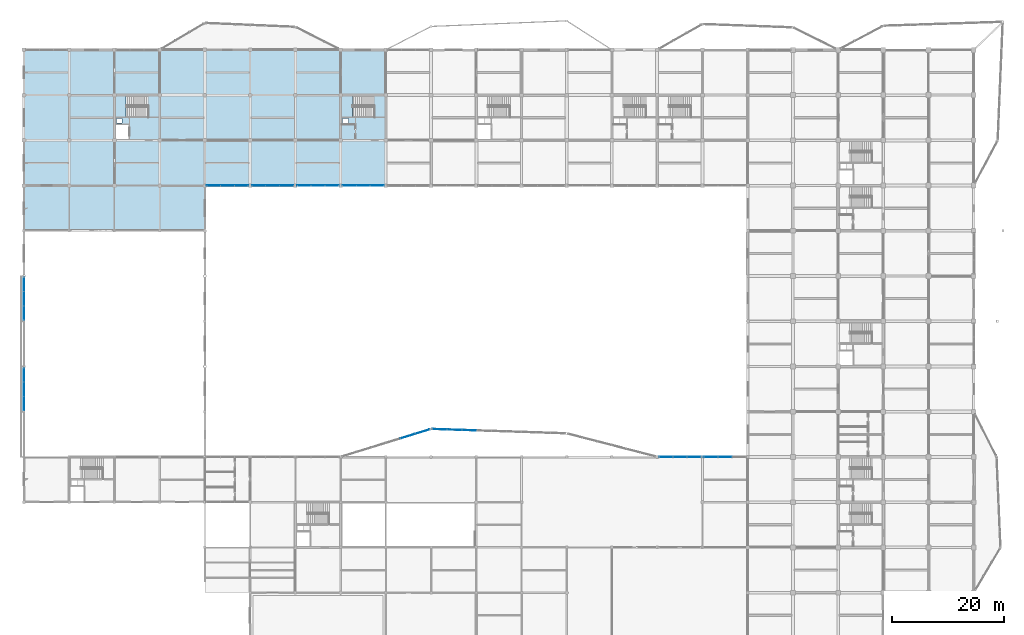
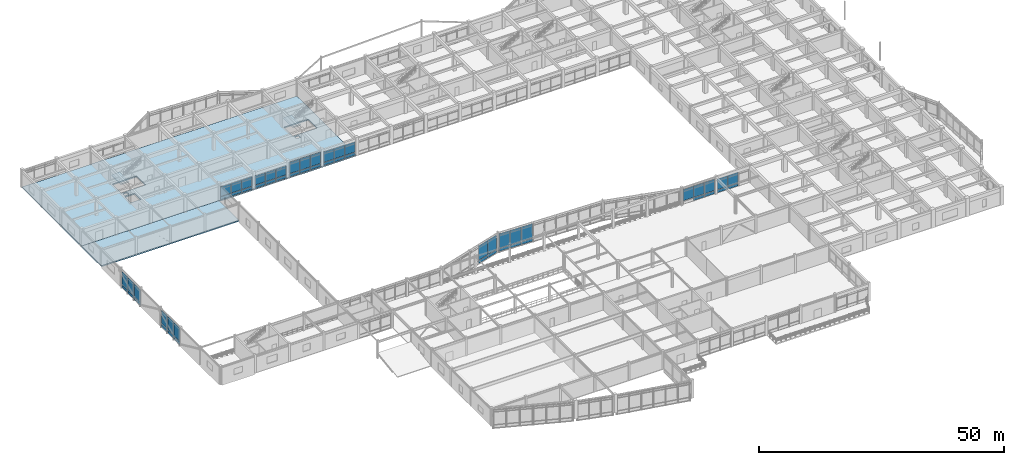
# One storey, part 52 of 93: 55 plates, 4 slabs, 12 elements without a shape of their own.
"""IFC4 building model written with IfcOpenShell, lengths in metres."""

import ifcopenshell
import ifcopenshell.guid

model = None  # the IFC model being written
_history = None  # IfcOwnerHistory: only IFC2X3 demands one
_inside = {}  # id of a spatial element -> (the spatial element, [elements in it])
_under = {}  # id of a project, library or spatial element -> (it, [spatial elements below it])
_declared = {}  # id of a project -> (the project, [libraries it declares])
_typed = {}  # id of a type object -> (the type object, [elements of that type])
_made_of = {}  # id of a material, layer set ... -> (it, [elements and type objects made of it])


def new_model(schema):
    """Start an empty IFC model of exactly this schema.

    Asked for "IFC4X3", IfcOpenShell would pick the latest addendum, in which some entities
    have other attributes; the version numbers below select the first issue.
    IFC2X3 requires an IfcOwnerHistory on every rooted entity: one is made here for all.
    """
    global model, _history
    if schema == "IFC4X3":
        model = ifcopenshell.file(schema_version=(4, 3, 0, 0))
    else:
        model = ifcopenshell.file(schema=schema)
    _inside.clear()
    _under.clear()
    _declared.clear()
    _typed.clear()
    _made_of.clear()
    _history = None
    if model.schema == "IFC2X3":
        org = make("IfcOrganization", Name="unknown")
        user = make(
            "IfcPersonAndOrganization",
            ThePerson=make("IfcPerson", FamilyName="unknown"),
            TheOrganization=org,
        )
        app = make(
            "IfcApplication",
            ApplicationDeveloper=org,
            Version="unknown",
            ApplicationFullName="unknown",
            ApplicationIdentifier="unknown",
        )
        _history = make(
            "IfcOwnerHistory",
            OwningUser=user,
            OwningApplication=app,
            ChangeAction="ADDED",
            CreationDate=0,
        )
    return model


def make(cls, **values):
    """One entity of the class cls with the attributes given. An attribute that is None is left unset."""
    return model.create_entity(
        cls, **{name: value for name, value in values.items() if value is not None}
    )


def rooted(cls, **values):
    """An entity with a GlobalId (a new one), such as an element, a storey or a relation."""
    return make(cls, GlobalId=ifcopenshell.guid.new(), OwnerHistory=_history, **values)


def si_unit(unit_type, name, prefix=None):
    """IfcSIUnit, for example si_unit("LENGTHUNIT", "METRE", prefix="MILLI")."""
    return make("IfcSIUnit", UnitType=unit_type, Prefix=prefix, Name=name)


def assignment(units):
    """IfcUnitAssignment: the units of a project."""
    return None if units is None else make("IfcUnitAssignment", Units=units)


def point(xyz):
    """IfcCartesianPoint."""
    return None if xyz is None else make("IfcCartesianPoint", Coordinates=xyz)


def direction(xyz):
    """IfcDirection."""
    return None if xyz is None else make("IfcDirection", DirectionRatios=xyz)


def frame(location, z_axis=None, x_axis=None):
    """IfcAxis2Placement3D, a coordinate frame: its origin and axes. An axis left out is left unset."""
    return make(
        "IfcAxis2Placement3D",
        Location=point(location),
        Axis=direction(z_axis),
        RefDirection=direction(x_axis),
    )


def frame_2d(location, x_axis=None):
    """IfcAxis2Placement2D, a coordinate frame in the plane: its origin and x axis."""
    return make(
        "IfcAxis2Placement2D", Location=point(location), RefDirection=direction(x_axis)
    )


def origin():
    """The frame at (0, 0, 0) with its axes left unset."""
    return frame((0.0, 0.0, 0.0))


def origin_2d():
    """The frame at (0, 0) in the plane with its x axis left unset."""
    return frame_2d((0.0, 0.0))


def place(relative_to, where):
    """IfcLocalPlacement: puts the frame where relative to a parent placement (None: the world)."""
    return make(
        "IfcLocalPlacement", PlacementRelTo=relative_to, RelativePlacement=where
    )


def context(
    kind, dimensions, precision=None, world=None, true_north=None, identifier=None
):
    """IfcGeometricRepresentationContext, for example the 3D "Model" context."""
    return make(
        "IfcGeometricRepresentationContext",
        ContextIdentifier=identifier,
        ContextType=kind,
        CoordinateSpaceDimension=dimensions,
        Precision=precision,
        WorldCoordinateSystem=world,
        TrueNorth=true_north,
    )


def subcontext(parent, identifier, kind, view, scale=None):
    """IfcGeometricRepresentationSubContext, for example "Body" below "Model"."""
    return make(
        "IfcGeometricRepresentationSubContext",
        ContextIdentifier=identifier,
        ContextType=kind,
        ParentContext=parent,
        TargetScale=scale,
        TargetView=view,
    )


def project(units=None, contexts=None):
    """IfcProject with its units and contexts."""
    return rooted(
        "IfcProject",
        Name="project",
        RepresentationContexts=contexts,
        UnitsInContext=assignment(units),
    )


def spatial(cls, under=None, at=None, **own):
    """A site, building, storey or space (cls), placed at a placement, below another one or the project."""
    s = rooted(cls, ObjectPlacement=at, **own)
    if under is not None:
        _under.setdefault(under.id(), (under, []))[1].append(s)
    return s


def polyline(points):
    """IfcPolyline through the points."""
    return make("IfcPolyline", Points=[point(p) for p in points])


def profile(cls, at=None, kind="AREA", **sizes):
    """A parametric profile (cls). Its sizes go by their IFC names, for example OverallWidth=200.0."""
    return make(cls, ProfileType=kind, Position=at, **sizes)


def rectangle(**sizes):
    """IfcRectangleProfileDef."""
    return profile("IfcRectangleProfileDef", **sizes)


def outline(outer, holes=None, kind="AREA"):
    """IfcArbitraryClosedProfileDef: a profile drawn as a closed curve; with holes, ...WithVoids."""
    if holes is None:
        return make("IfcArbitraryClosedProfileDef", ProfileType=kind, OuterCurve=outer)
    return make(
        "IfcArbitraryProfileDefWithVoids",
        ProfileType=kind,
        OuterCurve=outer,
        InnerCurves=holes,
    )


def extrude(swept, where, along, depth):
    """IfcExtrudedAreaSolid: the profile swept, set in the frame where, extruded along a direction by depth."""
    return make(
        "IfcExtrudedAreaSolid",
        SweptArea=swept,
        Position=where,
        ExtrudedDirection=direction(along),
        Depth=depth,
    )


def shape(context_of_items, identifier, shape_type, items):
    """IfcShapeRepresentation: the items that make up one representation, for example the "Body"."""
    return make(
        "IfcShapeRepresentation",
        ContextOfItems=context_of_items,
        RepresentationIdentifier=identifier,
        RepresentationType=shape_type,
        Items=items,
    )


def material(Name=None, Category=None):
    """IfcMaterial."""
    return make("IfcMaterial", Name=Name, Category=Category)


def layer(
    of_material, thickness, ventilated=None, Name=None, Category=None, Priority=None
):
    """IfcMaterialLayer: one layer of a wall or slab, of a material (None: an air gap)."""
    return make(
        "IfcMaterialLayer",
        Material=of_material,
        LayerThickness=thickness,
        IsVentilated=ventilated,
        Name=Name,
        Category=Category,
        Priority=Priority,
    )


def layer_set(layers, Name=None):
    """IfcMaterialLayerSet."""
    return make("IfcMaterialLayerSet", MaterialLayers=layers, LayerSetName=Name)


def made_of(thing, what):
    """Note that an element or type object is made of a material, layer set ...; save() writes the relation."""
    if what is not None:
        _made_of.setdefault(what.id(), (what, []))[1].append(thing)
    return thing


def type_object(cls, material=None, **own):
    """A type object (cls), such as IfcWallType, which elements share."""
    return made_of(rooted(cls, **own), material)


def element(
    cls,
    number,
    at=None,
    inside=None,
    cuts=None,
    type_object=None,
    material=None,
    context=None,
    identifier="Body",
    shape_type=None,
    held_by="IfcProductDefinitionShape",
    body=None,
    shapes=None,
    **own,
):
    """One element of the class cls, such as IfcWall. Its Tag is "e" and its number.

    at: its placement. inside: the storey or other place that contains it. cuts: it is an
    opening in that element (IfcRelVoidsElement). A single representation is given by context,
    identifier, shape_type and body (its items); several are given by shapes. held_by: the class
    of the entity that holds the representations. save() writes the other relations.
    """
    e = rooted(cls, Tag="e%d" % number, ObjectPlacement=at, **own)
    if body is not None:
        shapes = [shape(context, identifier, shape_type, body)]
    if shapes is not None:
        e.Representation = make(held_by, Representations=shapes)
    if inside is not None:
        _inside.setdefault(inside.id(), (inside, []))[1].append(e)
    if cuts is not None:
        rooted(
            "IfcRelVoidsElement", RelatingBuildingElement=cuts, RelatedOpeningElement=e
        )
    if type_object is not None:
        _typed.setdefault(type_object.id(), (type_object, []))[1].append(e)
    return made_of(e, material)


def aggregate(whole, parts):
    """IfcRelAggregates: a whole, such as a stair, and the parts it consists of."""
    return rooted("IfcRelAggregates", RelatingObject=whole, RelatedObjects=parts)


def save(model, path):
    """Write the relations noted so far, then the file.

    IfcRelAggregates (storeys below a building ...), IfcRelContainedInSpatialStructure (elements
    in a storey), IfcRelDefinesByType, IfcRelAssociatesMaterial and IfcRelDeclares: one each for
    every whole, place, type object, material and project.
    """
    for whole, parts in _under.values():
        aggregate(whole, parts)
    for where, things in _inside.values():
        rooted(
            "IfcRelContainedInSpatialStructure",
            RelatedElements=things,
            RelatingStructure=where,
        )
    for kind, things in _typed.values():
        rooted("IfcRelDefinesByType", RelatedObjects=things, RelatingType=kind)
    for what, things in _made_of.values():
        rooted("IfcRelAssociatesMaterial", RelatedObjects=things, RelatingMaterial=what)
    for by, libraries in _declared.values():
        rooted("IfcRelDeclares", RelatingContext=by, RelatedDefinitions=libraries)
    model.write(path)


model = new_model("IFC4")

# Units and contexts
model_context = context("Model", 3, precision=1e-05, world=origin(), true_north=direction((0.0, 1.0)))
body_context = subcontext(model_context, "Body", "Model", "MODEL_VIEW")
ifc_project = project(units=[si_unit("LENGTHUNIT", "METRE"), si_unit("AREAUNIT", "SQUARE_METRE"), si_unit("VOLUMEUNIT", "CUBIC_METRE"), si_unit("PLANEANGLEUNIT", "RADIAN"), si_unit("MASSUNIT", "GRAM", prefix="KILO")], contexts=[model_context])

# Site, building, storey
site_placement = place(None, origin())
site = spatial("IfcSite", under=ifc_project, at=site_placement, CompositionType="ELEMENT")
building_placement = place(site_placement, origin())
building = spatial("IfcBuilding", under=site, at=building_placement, Name="Vaudrelin Polytechnic", CompositionType="ELEMENT")
storey_placement = place(building_placement, frame((0.0, 0.0, 5.10009765625)))
storey = spatial("IfcBuildingStorey", under=building, at=storey_placement, Name="L01", CompositionType="ELEMENT", Elevation=5.10009765625)

# Curtain wall, plates
ifc_material_1 = material(Name="Thermally broken anodised aluminium AA 6063-T6 and low-e triple glazing", Category="aluminium")
ifc_layer_1 = layer(ifc_material_1, 0.199951171875)
ifc_layer_set_1 = layer_set([ifc_layer_1], Name="Thermally broken anodised aluminium AA 6063-T6 and low-e triple glazing")
curtain_wall_type_1 = type_object("IfcCurtainWallType", Name="CW-CW-POR", PredefinedType="USERDEFINED", material=ifc_layer_set_1)
curtain_wall_1_placement = place(storey_placement, origin())
curtain_wall_1 = element("IfcCurtainWall", 1, at=curtain_wall_1_placement, inside=storey, type_object=curtain_wall_type_1, Name="Curtain wall L01 W_V1_02", ObjectType="CURTAIN WALL", PredefinedType="USERDEFINED")
ifc_material_2 = material(Name="Insulated ceramic-frit spandrel glass panel", Category="glass")
ifc_layer_2 = layer(ifc_material_2, 0.052001953125)
ifc_layer_set_2 = layer_set([ifc_layer_2], Name="Insulated ceramic-frit spandrel glass panel")
plate_type_1 = type_object("IfcPlateType", Name="PLT-GLZ-SPAND", PredefinedType="CURTAIN_PANEL", material=ifc_layer_set_2)
plate_1_placement = place(storey_placement, frame((0.0, 58.19384765625, -0.2900390625), z_axis=(0.0, 0.0, 1.0), x_axis=(0.0, 1.0, 0.0)))
plate_1 = element("IfcPlate", 2, at=plate_1_placement, type_object=plate_type_1, Name="W_V1_02 spandrel panel 1", PredefinedType="CURTAIN_PANEL", context=body_context, shape_type="SweptSolid", body=[
    extrude(rectangle(XDim=2.441650390625, YDim=0.052001953125, at=origin_2d()), origin(), (0.0, 0.0, 1.0), 0.699951171875),
])
plate_2_placement = place(storey_placement, frame((0.0, 58.19384765625, 0.52001953125), z_axis=(0.0, 0.0, 1.0), x_axis=(0.0, 1.0, 0.0)))
plate_2 = element("IfcPlate", 3, at=plate_2_placement, type_object=plate_type_1, Name="W_V1_02 spandrel infill panel 1", PredefinedType="CURTAIN_PANEL", context=body_context, shape_type="SweptSolid", body=[
    extrude(rectangle(XDim=2.441650390625, YDim=0.052001953125, at=origin_2d()), origin(), (0.0, 0.0, 1.0), 3.3359375),
])
plate_3_placement = place(storey_placement, frame((0.0, 60.735595703125, -0.2900390625), z_axis=(0.0, 0.0, 1.0), x_axis=(0.0, 1.0, 0.0)))
plate_3 = element("IfcPlate", 4, at=plate_3_placement, type_object=plate_type_1, Name="W_V1_02 spandrel panel 2", PredefinedType="CURTAIN_PANEL", context=body_context, shape_type="SweptSolid", body=[
    extrude(rectangle(XDim=2.441650390625, YDim=0.052001953125, at=origin_2d()), origin(), (0.0, 0.0, 1.0), 0.699951171875),
])
plate_4_placement = place(storey_placement, frame((0.0, 60.735595703125, 0.52001953125), z_axis=(0.0, 0.0, 1.0), x_axis=(0.0, 1.0, 0.0)))
plate_4 = element("IfcPlate", 5, at=plate_4_placement, type_object=plate_type_1, Name="W_V1_02 spandrel infill panel 2", PredefinedType="CURTAIN_PANEL", context=body_context, shape_type="SweptSolid", body=[
    extrude(rectangle(XDim=2.441650390625, YDim=0.052001953125, at=origin_2d()), origin(), (0.0, 0.0, 1.0), 3.3359375),
])
plate_5_placement = place(storey_placement, frame((0.0, 63.277099609375, -0.2900390625), z_axis=(0.0, 0.0, 1.0), x_axis=(0.0, 1.0, 0.0)))
plate_5 = element("IfcPlate", 6, at=plate_5_placement, type_object=plate_type_1, Name="W_V1_02 spandrel panel 3", PredefinedType="CURTAIN_PANEL", context=body_context, shape_type="SweptSolid", body=[
    extrude(rectangle(XDim=2.441650390625, YDim=0.052001953125, at=origin_2d()), origin(), (0.0, 0.0, 1.0), 0.699951171875),
])
plate_6_placement = place(storey_placement, frame((0.0, 63.277099609375, 0.52001953125), z_axis=(0.0, 0.0, 1.0), x_axis=(0.0, 1.0, 0.0)))
plate_6 = element("IfcPlate", 7, at=plate_6_placement, type_object=plate_type_1, Name="W_V1_02 spandrel infill panel 3", PredefinedType="CURTAIN_PANEL", context=body_context, shape_type="SweptSolid", body=[
    extrude(rectangle(XDim=2.441650390625, YDim=0.052001953125, at=origin_2d()), origin(), (0.0, 0.0, 1.0), 3.3359375),
])
aggregate(curtain_wall_1, [plate_1, plate_2, plate_3, plate_4, plate_5, plate_6])

curtain_wall_2_placement = place(storey_placement, origin())
curtain_wall_2 = element("IfcCurtainWall", 8, at=curtain_wall_2_placement, inside=storey, type_object=curtain_wall_type_1, Name="Curtain wall L01 W_V1_04", ObjectType="CURTAIN WALL", PredefinedType="USERDEFINED")
plate_7_placement = place(storey_placement, frame((0.0, 74.393798828125, -0.2900390625), z_axis=(0.0, 0.0, 1.0), x_axis=(0.0, 1.0, 0.0)))
plate_7 = element("IfcPlate", 9, at=plate_7_placement, type_object=plate_type_1, Name="W_V1_04 spandrel panel 1", PredefinedType="CURTAIN_PANEL", context=body_context, shape_type="SweptSolid", body=[
    extrude(rectangle(XDim=2.441650390625, YDim=0.052001953125, at=origin_2d()), origin(), (0.0, 0.0, 1.0), 0.699951171875),
])
plate_8_placement = place(storey_placement, frame((0.0, 74.393798828125, 0.52001953125), z_axis=(0.0, 0.0, 1.0), x_axis=(0.0, 1.0, 0.0)))
plate_8 = element("IfcPlate", 10, at=plate_8_placement, type_object=plate_type_1, Name="W_V1_04 spandrel infill panel 1", PredefinedType="CURTAIN_PANEL", context=body_context, shape_type="SweptSolid", body=[
    extrude(rectangle(XDim=2.441650390625, YDim=0.052001953125, at=origin_2d()), origin(), (0.0, 0.0, 1.0), 3.158935546875),
])
plate_9_placement = place(storey_placement, frame((0.0, 76.935546875, -0.2900390625), z_axis=(0.0, 0.0, 1.0), x_axis=(0.0, 1.0, 0.0)))
plate_9 = element("IfcPlate", 11, at=plate_9_placement, type_object=plate_type_1, Name="W_V1_04 spandrel panel 2", PredefinedType="CURTAIN_PANEL", context=body_context, shape_type="SweptSolid", body=[
    extrude(rectangle(XDim=2.441650390625, YDim=0.052001953125, at=origin_2d()), origin(), (0.0, 0.0, 1.0), 0.699951171875),
])
plate_10_placement = place(storey_placement, frame((0.0, 76.935546875, 0.52001953125), z_axis=(0.0, 0.0, 1.0), x_axis=(0.0, 1.0, 0.0)))
plate_10 = element("IfcPlate", 12, at=plate_10_placement, type_object=plate_type_1, Name="W_V1_04 spandrel infill panel 2", PredefinedType="CURTAIN_PANEL", context=body_context, shape_type="SweptSolid", body=[
    extrude(rectangle(XDim=2.441650390625, YDim=0.052001953125, at=origin_2d()), origin(), (0.0, 0.0, 1.0), 3.158935546875),
])
plate_11_placement = place(storey_placement, frame((0.0, 79.477294921875, -0.2900390625), z_axis=(0.0, 0.0, 1.0), x_axis=(0.0, 1.0, 0.0)))
plate_11 = element("IfcPlate", 13, at=plate_11_placement, type_object=plate_type_1, Name="W_V1_04 spandrel panel 3", PredefinedType="CURTAIN_PANEL", context=body_context, shape_type="SweptSolid", body=[
    extrude(rectangle(XDim=2.441650390625, YDim=0.052001953125, at=origin_2d()), origin(), (0.0, 0.0, 1.0), 0.699951171875),
])
plate_12_placement = place(storey_placement, frame((0.0, 79.477294921875, 0.52001953125), z_axis=(0.0, 0.0, 1.0), x_axis=(0.0, 1.0, 0.0)))
plate_12 = element("IfcPlate", 14, at=plate_12_placement, type_object=plate_type_1, Name="W_V1_04 spandrel infill panel 3", PredefinedType="CURTAIN_PANEL", context=body_context, shape_type="SweptSolid", body=[
    extrude(rectangle(XDim=2.441650390625, YDim=0.052001953125, at=origin_2d()), origin(), (0.0, 0.0, 1.0), 3.158935546875),
])
aggregate(curtain_wall_2, [plate_7, plate_8, plate_9, plate_10, plate_11, plate_12])

ifc_layer_3 = layer(ifc_material_1, 0.199951171875)
ifc_layer_set_3 = layer_set([ifc_layer_3], Name="Thermally broken anodised aluminium AA 6063-T6 and low-e triple glazing")
curtain_wall_type_2 = type_object("IfcCurtainWallType", Name="CW-CW-WG", PredefinedType="USERDEFINED", material=ifc_layer_set_3)
curtain_wall_3_placement = place(storey_placement, origin())
curtain_wall_3 = element("IfcCurtainWall", 15, at=curtain_wall_3_placement, inside=storey, type_object=curtain_wall_type_2, Name="Curtain wall L01 CT_S_10", ObjectType="CURTAIN WALL", PredefinedType="USERDEFINED")
plate_13_placement = place(storey_placement, frame((117.487548828125, 48.60009765625, 0.08984375), z_axis=(0.0, 0.0, 1.0), x_axis=(1.0, 0.0, 0.0)))
plate_13 = element("IfcPlate", 16, at=plate_13_placement, type_object=plate_type_1, Name="CT_S_10 spandrel panel 2", PredefinedType="CURTAIN_PANEL", context=body_context, shape_type="SweptSolid", body=[
    extrude(rectangle(XDim=2.42626953125, YDim=0.052001953125, at=origin_2d()), origin(), (0.0, 0.0, 1.0), 0.699951171875),
])
plate_14_placement = place(storey_placement, frame((120.013916015625, 48.60009765625, 0.08984375), z_axis=(0.0, 0.0, 1.0), x_axis=(1.0, 0.0, 0.0)))
plate_14 = element("IfcPlate", 17, at=plate_14_placement, type_object=plate_type_1, Name="CT_S_10 spandrel panel 3", PredefinedType="CURTAIN_PANEL", context=body_context, shape_type="SweptSolid", body=[
    extrude(rectangle(XDim=2.42626953125, YDim=0.052001953125, at=origin_2d()), origin(), (0.0, 0.0, 1.0), 0.699951171875),
])

curtain_wall_4_placement = place(storey_placement, origin())
curtain_wall_4 = element("IfcCurtainWall", 18, at=curtain_wall_4_placement, inside=storey, type_object=curtain_wall_type_2, Name="Curtain wall L01 CT_S_11", ObjectType="CURTAIN WALL", PredefinedType="USERDEFINED")
plate_15_placement = place(storey_placement, frame((122.998779296875, 48.60009765625, 0.08984375), z_axis=(0.0, 0.0, 1.0), x_axis=(1.0, 0.0, 0.0)))
plate_15 = element("IfcPlate", 19, at=plate_15_placement, type_object=plate_type_1, Name="CT_S_11 spandrel panel 1", PredefinedType="CURTAIN_PANEL", context=body_context, shape_type="SweptSolid", body=[
    extrude(rectangle(XDim=2.451416015625, YDim=0.052001953125, at=origin_2d()), origin(), (0.0, 0.0, 1.0), 0.699951171875),
])
plate_16_placement = place(storey_placement, frame((125.550048828125, 48.60009765625, 0.08984375), z_axis=(0.0, 0.0, 1.0), x_axis=(1.0, 0.0, 0.0)))
plate_16 = element("IfcPlate", 20, at=plate_16_placement, type_object=plate_type_1, Name="CT_S_11 spandrel panel 2", PredefinedType="CURTAIN_PANEL", context=body_context, shape_type="SweptSolid", body=[
    extrude(rectangle(XDim=2.451416015625, YDim=0.052001953125, at=origin_2d()), origin(), (0.0, 0.0, 1.0), 0.699951171875),
])

ifc_layer_4 = layer(ifc_material_1, 0.199951171875)
ifc_layer_set_4 = layer_set([ifc_layer_4], Name="Thermally broken anodised aluminium AA 6063-T6 and low-e triple glazing")
curtain_wall_type_3 = type_object("IfcCurtainWallType", Name="CW-CW-LIB", PredefinedType="USERDEFINED", material=ifc_layer_set_4)
curtain_wall_5_placement = place(storey_placement, origin())
curtain_wall_5 = element("IfcCurtainWall", 21, at=curtain_wall_5_placement, inside=storey, type_object=curtain_wall_type_3, Name="Curtain wall L01 CT_N_00", ObjectType="CURTAIN WALL", PredefinedType="USERDEFINED")
plate_17_placement = place(storey_placement, frame((33.96533203125, 97.199951171875, 0.08984375), z_axis=(0.0, 0.0, 1.0), x_axis=(1.0, 0.0, 0.0)))
plate_17 = element("IfcPlate", 22, at=plate_17_placement, type_object=plate_type_1, Name="CT_N_00 spandrel panel 1", PredefinedType="CURTAIN_PANEL", context=body_context, shape_type="SweptSolid", body=[
    extrude(rectangle(XDim=2.384765625, YDim=0.052001953125, at=origin_2d()), origin(), (0.0, 0.0, 1.0), 0.699951171875),
])
plate_18_placement = place(storey_placement, frame((36.449951171875, 97.199951171875, 0.08984375), z_axis=(0.0, 0.0, 1.0), x_axis=(1.0, 0.0, 0.0)))
plate_18 = element("IfcPlate", 23, at=plate_18_placement, type_object=plate_type_1, Name="CT_N_00 spandrel panel 2", PredefinedType="CURTAIN_PANEL", context=body_context, shape_type="SweptSolid", body=[
    extrude(rectangle(XDim=2.384765625, YDim=0.052001953125, at=origin_2d()), origin(), (0.0, 0.0, 1.0), 0.699951171875),
])
plate_19_placement = place(storey_placement, frame((38.934814453125, 97.199951171875, 0.08984375), z_axis=(0.0, 0.0, 1.0), x_axis=(1.0, 0.0, 0.0)))
plate_19 = element("IfcPlate", 24, at=plate_19_placement, type_object=plate_type_1, Name="CT_N_00 spandrel panel 3", PredefinedType="CURTAIN_PANEL", context=body_context, shape_type="SweptSolid", body=[
    extrude(rectangle(XDim=2.384765625, YDim=0.052001953125, at=origin_2d()), origin(), (0.0, 0.0, 1.0), 0.699951171875),
])

curtain_wall_6_placement = place(storey_placement, origin())
curtain_wall_6 = element("IfcCurtainWall", 25, at=curtain_wall_6_placement, inside=storey, type_object=curtain_wall_type_3, Name="Curtain wall L01 CT_N_01", ObjectType="CURTAIN WALL", PredefinedType="USERDEFINED")
plate_20_placement = place(storey_placement, frame((42.065185546875, 97.199951171875, 0.08984375), z_axis=(0.0, 0.0, 1.0), x_axis=(1.0, 0.0, 0.0)))
plate_20 = element("IfcPlate", 26, at=plate_20_placement, type_object=plate_type_1, Name="CT_N_01 spandrel panel 1", PredefinedType="CURTAIN_PANEL", context=body_context, shape_type="SweptSolid", body=[
    extrude(rectangle(XDim=2.384765625, YDim=0.052001953125, at=origin_2d()), origin(), (0.0, 0.0, 1.0), 0.699951171875),
])
plate_21_placement = place(storey_placement, frame((44.550048828125, 97.199951171875, 0.08984375), z_axis=(0.0, 0.0, 1.0), x_axis=(1.0, 0.0, 0.0)))
plate_21 = element("IfcPlate", 27, at=plate_21_placement, type_object=plate_type_1, Name="CT_N_01 spandrel panel 2", PredefinedType="CURTAIN_PANEL", context=body_context, shape_type="SweptSolid", body=[
    extrude(rectangle(XDim=2.384765625, YDim=0.052001953125, at=origin_2d()), origin(), (0.0, 0.0, 1.0), 0.699951171875),
])
plate_22_placement = place(storey_placement, frame((47.03466796875, 97.199951171875, 0.08984375), z_axis=(0.0, 0.0, 1.0), x_axis=(1.0, 0.0, 0.0)))
plate_22 = element("IfcPlate", 28, at=plate_22_placement, type_object=plate_type_1, Name="CT_N_01 spandrel panel 3", PredefinedType="CURTAIN_PANEL", context=body_context, shape_type="SweptSolid", body=[
    extrude(rectangle(XDim=2.384765625, YDim=0.052001953125, at=origin_2d()), origin(), (0.0, 0.0, 1.0), 0.699951171875),
])

curtain_wall_7_placement = place(storey_placement, origin())
curtain_wall_7 = element("IfcCurtainWall", 29, at=curtain_wall_7_placement, inside=storey, type_object=curtain_wall_type_3, Name="Curtain wall L01 CT_N_02", ObjectType="CURTAIN WALL", PredefinedType="USERDEFINED")
plate_23_placement = place(storey_placement, frame((50.165283203125, 97.199951171875, 0.08984375), z_axis=(0.0, 0.0, 1.0), x_axis=(1.0, 0.0, 0.0)))
plate_23 = element("IfcPlate", 30, at=plate_23_placement, type_object=plate_type_1, Name="CT_N_02 spandrel panel 1", PredefinedType="CURTAIN_PANEL", context=body_context, shape_type="SweptSolid", body=[
    extrude(rectangle(XDim=2.384765625, YDim=0.052001953125, at=origin_2d()), origin(), (0.0, 0.0, 1.0), 0.699951171875),
])
plate_24_placement = place(storey_placement, frame((52.64990234375, 97.199951171875, 0.08984375), z_axis=(0.0, 0.0, 1.0), x_axis=(1.0, 0.0, 0.0)))
plate_24 = element("IfcPlate", 31, at=plate_24_placement, type_object=plate_type_1, Name="CT_N_02 spandrel panel 2", PredefinedType="CURTAIN_PANEL", context=body_context, shape_type="SweptSolid", body=[
    extrude(rectangle(XDim=2.384765625, YDim=0.052001953125, at=origin_2d()), origin(), (0.0, 0.0, 1.0), 0.699951171875),
])
plate_25_placement = place(storey_placement, frame((55.134765625, 97.199951171875, 0.08984375), z_axis=(0.0, 0.0, 1.0), x_axis=(1.0, 0.0, 0.0)))
plate_25 = element("IfcPlate", 32, at=plate_25_placement, type_object=plate_type_1, Name="CT_N_02 spandrel panel 3", PredefinedType="CURTAIN_PANEL", context=body_context, shape_type="SweptSolid", body=[
    extrude(rectangle(XDim=2.384765625, YDim=0.052001953125, at=origin_2d()), origin(), (0.0, 0.0, 1.0), 0.699951171875),
])

curtain_wall_8_placement = place(storey_placement, origin())
curtain_wall_8 = element("IfcCurtainWall", 33, at=curtain_wall_8_placement, inside=storey, type_object=curtain_wall_type_3, Name="Curtain wall L01 CT_N_03", ObjectType="CURTAIN WALL", PredefinedType="USERDEFINED")
plate_26_placement = place(storey_placement, frame((58.265380859375, 97.199951171875, 0.08984375), z_axis=(0.0, 0.0, 1.0), x_axis=(1.0, 0.0, 0.0)))
plate_26 = element("IfcPlate", 34, at=plate_26_placement, type_object=plate_type_1, Name="CT_N_03 spandrel panel 1", PredefinedType="CURTAIN_PANEL", context=body_context, shape_type="SweptSolid", body=[
    extrude(rectangle(XDim=2.384765625, YDim=0.052001953125, at=origin_2d()), origin(), (0.0, 0.0, 1.0), 0.699951171875),
])
plate_27_placement = place(storey_placement, frame((60.75, 97.199951171875, 0.08984375), z_axis=(0.0, 0.0, 1.0), x_axis=(1.0, 0.0, 0.0)))
plate_27 = element("IfcPlate", 35, at=plate_27_placement, type_object=plate_type_1, Name="CT_N_03 spandrel panel 2", PredefinedType="CURTAIN_PANEL", context=body_context, shape_type="SweptSolid", body=[
    extrude(rectangle(XDim=2.384765625, YDim=0.052001953125, at=origin_2d()), origin(), (0.0, 0.0, 1.0), 0.699951171875),
])
plate_28_placement = place(storey_placement, frame((63.234619140625, 97.199951171875, 0.08984375), z_axis=(0.0, 0.0, 1.0), x_axis=(1.0, 0.0, 0.0)))
plate_28 = element("IfcPlate", 36, at=plate_28_placement, type_object=plate_type_1, Name="CT_N_03 spandrel panel 3", PredefinedType="CURTAIN_PANEL", context=body_context, shape_type="SweptSolid", body=[
    extrude(rectangle(XDim=2.384765625, YDim=0.052001953125, at=origin_2d()), origin(), (0.0, 0.0, 1.0), 0.699951171875),
])

curtain_wall_9_placement = place(storey_placement, origin())
curtain_wall_9 = element("IfcCurtainWall", 37, at=curtain_wall_9_placement, inside=storey, type_object=curtain_wall_type_2, Name="Curtain wall L01 CT_OR1_1_1", ObjectType="CURTAIN WALL", PredefinedType="USERDEFINED")
plate_29_placement = place(storey_placement, frame((68.751220703125, 52.319580078125, -0.5400390625), z_axis=(0.0, 0.0, 1.0), x_axis=(0.955522441596, 0.294918401608, 0.0)))
plate_29 = element("IfcPlate", 38, at=plate_29_placement, type_object=plate_type_1, Name="CT_OR1_1_1 spandrel panel 2", PredefinedType="CURTAIN_PANEL", context=body_context, shape_type="SweptSolid", body=[
    extrude(rectangle(XDim=2.631591796875, YDim=0.052001953125, at=origin_2d()), origin(), (0.0, 0.0, 1.0), 0.699951171875),
])
plate_30_placement = place(storey_placement, frame((71.361328125, 53.125, -0.5400390625), z_axis=(0.0, 0.0, 1.0), x_axis=(0.955522441596, 0.294918401608, 0.0)))
plate_30 = element("IfcPlate", 39, at=plate_30_placement, type_object=plate_type_1, Name="CT_OR1_1_1 spandrel panel 3", PredefinedType="CURTAIN_PANEL", context=body_context, shape_type="SweptSolid", body=[
    extrude(rectangle(XDim=2.631591796875, YDim=0.052001953125, at=origin_2d()), origin(), (0.0, 0.0, 1.0), 0.699951171875),
])

curtain_wall_10_placement = place(storey_placement, origin())
curtain_wall_10 = element("IfcCurtainWall", 40, at=curtain_wall_10_placement, inside=storey, type_object=curtain_wall_type_2, Name="Curtain wall L01 CT_OR1_2_0", ObjectType="CURTAIN WALL", PredefinedType="USERDEFINED")
plate_31_placement = place(storey_placement, frame((74.461181640625, 53.548583984375, -0.5400390625), z_axis=(0.0, 0.0, 1.0), x_axis=(0.999458331652, -0.032909623096, 0.0)))
plate_31 = element("IfcPlate", 41, at=plate_31_placement, type_object=plate_type_1, Name="CT_OR1_2_0 spandrel panel 1", PredefinedType="CURTAIN_PANEL", context=body_context, shape_type="SweptSolid", body=[
    extrude(rectangle(XDim=2.548583984375, YDim=0.052001953125, at=origin_2d()), origin(), (0.0, 0.0, 1.0), 0.699951171875),
])
plate_32_placement = place(storey_placement, frame((77.1083984375, 53.46142578125, -0.5400390625), z_axis=(0.0, 0.0, 1.0), x_axis=(0.999458331652, -0.032909623096, 0.0)))
plate_32 = element("IfcPlate", 42, at=plate_32_placement, type_object=plate_type_1, Name="CT_OR1_2_0 spandrel panel 2", PredefinedType="CURTAIN_PANEL", context=body_context, shape_type="SweptSolid", body=[
    extrude(rectangle(XDim=2.548583984375, YDim=0.052001953125, at=origin_2d()), origin(), (0.0, 0.0, 1.0), 0.699951171875),
])
plate_33_placement = place(storey_placement, frame((79.755615234375, 53.374267578125, -0.5400390625), z_axis=(0.0, 0.0, 1.0), x_axis=(0.999458331652, -0.032909623096, 0.0)))
plate_33 = element("IfcPlate", 43, at=plate_33_placement, type_object=plate_type_1, Name="CT_OR1_2_0 spandrel panel 3", PredefinedType="CURTAIN_PANEL", context=body_context, shape_type="SweptSolid", body=[
    extrude(rectangle(XDim=2.548583984375, YDim=0.052001953125, at=origin_2d()), origin(), (0.0, 0.0, 1.0), 0.699951171875),
])

# Plate
ifc_material_3 = material(Name="Triple low-e argon insulated glazing unit", Category="glass")
ifc_layer_5 = layer(ifc_material_3, 0.0439453125)
ifc_layer_set_5 = layer_set([ifc_layer_5], Name="Triple low-e argon insulated glazing unit")
plate_type_2 = type_object("IfcPlateType", Name="PLT-GLZ-TRIPLE", PredefinedType="CURTAIN_PANEL", material=ifc_layer_set_5)
plate_34_placement = place(storey_placement, frame((114.961181640625, 48.60009765625, 0.89990234375), z_axis=(0.0, 0.0, 1.0), x_axis=(1.0, 0.0, 0.0)))
plate_34 = element("IfcPlate", 44, at=plate_34_placement, type_object=plate_type_2, Name="CT_S_10 vision panel 1", PredefinedType="CURTAIN_PANEL", context=body_context, shape_type="SweptSolid", body=[
    extrude(rectangle(XDim=2.42626953125, YDim=0.0439453125, at=origin_2d()), origin(), (0.0, 0.0, 1.0), 2.84912109375),
])

plate_35_placement = place(storey_placement, frame((117.487548828125, 48.60009765625, 0.89990234375), z_axis=(0.0, 0.0, 1.0), x_axis=(1.0, 0.0, 0.0)))
plate_35 = element("IfcPlate", 45, at=plate_35_placement, type_object=plate_type_2, Name="CT_S_10 vision panel 2", PredefinedType="CURTAIN_PANEL", context=body_context, shape_type="SweptSolid", body=[
    extrude(rectangle(XDim=2.42626953125, YDim=0.0439453125, at=origin_2d()), origin(), (0.0, 0.0, 1.0), 2.84912109375),
])

plate_36_placement = place(storey_placement, frame((120.013916015625, 48.60009765625, 0.89990234375), z_axis=(0.0, 0.0, 1.0), x_axis=(1.0, 0.0, 0.0)))
plate_36 = element("IfcPlate", 46, at=plate_36_placement, type_object=plate_type_2, Name="CT_S_10 vision panel 3", PredefinedType="CURTAIN_PANEL", context=body_context, shape_type="SweptSolid", body=[
    extrude(rectangle(XDim=2.42626953125, YDim=0.0439453125, at=origin_2d()), origin(), (0.0, 0.0, 1.0), 2.84912109375),
])

aggregate(curtain_wall_3, [plate_34, plate_13, plate_35, plate_14, plate_36])

plate_37_placement = place(storey_placement, frame((122.998779296875, 48.60009765625, 0.89990234375), z_axis=(0.0, 0.0, 1.0), x_axis=(1.0, 0.0, 0.0)))
plate_37 = element("IfcPlate", 47, at=plate_37_placement, type_object=plate_type_2, Name="CT_S_11 vision panel 1", PredefinedType="CURTAIN_PANEL", context=body_context, shape_type="SweptSolid", body=[
    extrude(rectangle(XDim=2.451416015625, YDim=0.0439453125, at=origin_2d()), origin(), (0.0, 0.0, 1.0), 2.662109375),
])

plate_38_placement = place(storey_placement, frame((125.550048828125, 48.60009765625, 0.89990234375), z_axis=(0.0, 0.0, 1.0), x_axis=(1.0, 0.0, 0.0)))
plate_38 = element("IfcPlate", 48, at=plate_38_placement, type_object=plate_type_2, Name="CT_S_11 vision panel 2", PredefinedType="CURTAIN_PANEL", context=body_context, shape_type="SweptSolid", body=[
    extrude(rectangle(XDim=2.451416015625, YDim=0.0439453125, at=origin_2d()), origin(), (0.0, 0.0, 1.0), 2.662109375),
])

aggregate(curtain_wall_4, [plate_15, plate_37, plate_16, plate_38])

plate_39_placement = place(storey_placement, frame((33.96533203125, 97.199951171875, 0.89990234375), z_axis=(0.0, 0.0, 1.0), x_axis=(1.0, 0.0, 0.0)))
plate_39 = element("IfcPlate", 49, at=plate_39_placement, type_object=plate_type_2, Name="CT_N_00 vision panel 1", PredefinedType="CURTAIN_PANEL", context=body_context, shape_type="SweptSolid", body=[
    extrude(rectangle(XDim=2.384765625, YDim=0.0439453125, at=origin_2d()), origin(), (0.0, 0.0, 1.0), 2.402099609375),
])

plate_40_placement = place(storey_placement, frame((36.449951171875, 97.199951171875, 0.89990234375), z_axis=(0.0, 0.0, 1.0), x_axis=(1.0, 0.0, 0.0)))
plate_40 = element("IfcPlate", 50, at=plate_40_placement, type_object=plate_type_2, Name="CT_N_00 vision panel 2", PredefinedType="CURTAIN_PANEL", context=body_context, shape_type="SweptSolid", body=[
    extrude(rectangle(XDim=2.384765625, YDim=0.0439453125, at=origin_2d()), origin(), (0.0, 0.0, 1.0), 2.402099609375),
])

plate_41_placement = place(storey_placement, frame((38.934814453125, 97.199951171875, 0.89990234375), z_axis=(0.0, 0.0, 1.0), x_axis=(1.0, 0.0, 0.0)))
plate_41 = element("IfcPlate", 51, at=plate_41_placement, type_object=plate_type_2, Name="CT_N_00 vision panel 3", PredefinedType="CURTAIN_PANEL", context=body_context, shape_type="SweptSolid", body=[
    extrude(rectangle(XDim=2.384765625, YDim=0.0439453125, at=origin_2d()), origin(), (0.0, 0.0, 1.0), 2.402099609375),
])

aggregate(curtain_wall_5, [plate_17, plate_39, plate_18, plate_40, plate_19, plate_41])

plate_42_placement = place(storey_placement, frame((42.065185546875, 97.199951171875, 0.89990234375), z_axis=(0.0, 0.0, 1.0), x_axis=(1.0, 0.0, 0.0)))
plate_42 = element("IfcPlate", 52, at=plate_42_placement, type_object=plate_type_2, Name="CT_N_01 vision panel 1", PredefinedType="CURTAIN_PANEL", context=body_context, shape_type="SweptSolid", body=[
    extrude(rectangle(XDim=2.384765625, YDim=0.0439453125, at=origin_2d()), origin(), (0.0, 0.0, 1.0), 2.302001953125),
])

plate_43_placement = place(storey_placement, frame((44.550048828125, 97.199951171875, 0.89990234375), z_axis=(0.0, 0.0, 1.0), x_axis=(1.0, 0.0, 0.0)))
plate_43 = element("IfcPlate", 53, at=plate_43_placement, type_object=plate_type_2, Name="CT_N_01 vision panel 2", PredefinedType="CURTAIN_PANEL", context=body_context, shape_type="SweptSolid", body=[
    extrude(rectangle(XDim=2.384765625, YDim=0.0439453125, at=origin_2d()), origin(), (0.0, 0.0, 1.0), 2.302001953125),
])

plate_44_placement = place(storey_placement, frame((47.03466796875, 97.199951171875, 0.89990234375), z_axis=(0.0, 0.0, 1.0), x_axis=(1.0, 0.0, 0.0)))
plate_44 = element("IfcPlate", 54, at=plate_44_placement, type_object=plate_type_2, Name="CT_N_01 vision panel 3", PredefinedType="CURTAIN_PANEL", context=body_context, shape_type="SweptSolid", body=[
    extrude(rectangle(XDim=2.384765625, YDim=0.0439453125, at=origin_2d()), origin(), (0.0, 0.0, 1.0), 2.302001953125),
])

aggregate(curtain_wall_6, [plate_20, plate_42, plate_21, plate_43, plate_22, plate_44])

plate_45_placement = place(storey_placement, frame((50.165283203125, 97.199951171875, 0.89990234375), z_axis=(0.0, 0.0, 1.0), x_axis=(1.0, 0.0, 0.0)))
plate_45 = element("IfcPlate", 55, at=plate_45_placement, type_object=plate_type_2, Name="CT_N_02 vision panel 1", PredefinedType="CURTAIN_PANEL", context=body_context, shape_type="SweptSolid", body=[
    extrude(rectangle(XDim=2.384765625, YDim=0.0439453125, at=origin_2d()), origin(), (0.0, 0.0, 1.0), 2.8369140625),
])

plate_46_placement = place(storey_placement, frame((52.64990234375, 97.199951171875, 0.89990234375), z_axis=(0.0, 0.0, 1.0), x_axis=(1.0, 0.0, 0.0)))
plate_46 = element("IfcPlate", 56, at=plate_46_placement, type_object=plate_type_2, Name="CT_N_02 vision panel 2", PredefinedType="CURTAIN_PANEL", context=body_context, shape_type="SweptSolid", body=[
    extrude(rectangle(XDim=2.384765625, YDim=0.0439453125, at=origin_2d()), origin(), (0.0, 0.0, 1.0), 2.8369140625),
])

plate_47_placement = place(storey_placement, frame((55.134765625, 97.199951171875, 0.89990234375), z_axis=(0.0, 0.0, 1.0), x_axis=(1.0, 0.0, 0.0)))
plate_47 = element("IfcPlate", 57, at=plate_47_placement, type_object=plate_type_2, Name="CT_N_02 vision panel 3", PredefinedType="CURTAIN_PANEL", context=body_context, shape_type="SweptSolid", body=[
    extrude(rectangle(XDim=2.384765625, YDim=0.0439453125, at=origin_2d()), origin(), (0.0, 0.0, 1.0), 2.8369140625),
])

aggregate(curtain_wall_7, [plate_23, plate_45, plate_24, plate_46, plate_25, plate_47])

plate_48_placement = place(storey_placement, frame((58.265380859375, 97.199951171875, 0.89990234375), z_axis=(0.0, 0.0, 1.0), x_axis=(1.0, 0.0, 0.0)))
plate_48 = element("IfcPlate", 58, at=plate_48_placement, type_object=plate_type_2, Name="CT_N_03 vision panel 1", PredefinedType="CURTAIN_PANEL", context=body_context, shape_type="SweptSolid", body=[
    extrude(rectangle(XDim=2.384765625, YDim=0.0439453125, at=origin_2d()), origin(), (0.0, 0.0, 1.0), 2.60205078125),
])

plate_49_placement = place(storey_placement, frame((60.75, 97.199951171875, 0.89990234375), z_axis=(0.0, 0.0, 1.0), x_axis=(1.0, 0.0, 0.0)))
plate_49 = element("IfcPlate", 59, at=plate_49_placement, type_object=plate_type_2, Name="CT_N_03 vision panel 2", PredefinedType="CURTAIN_PANEL", context=body_context, shape_type="SweptSolid", body=[
    extrude(rectangle(XDim=2.384765625, YDim=0.0439453125, at=origin_2d()), origin(), (0.0, 0.0, 1.0), 2.60205078125),
])

plate_50_placement = place(storey_placement, frame((63.234619140625, 97.199951171875, 0.89990234375), z_axis=(0.0, 0.0, 1.0), x_axis=(1.0, 0.0, 0.0)))
plate_50 = element("IfcPlate", 60, at=plate_50_placement, type_object=plate_type_2, Name="CT_N_03 vision panel 3", PredefinedType="CURTAIN_PANEL", context=body_context, shape_type="SweptSolid", body=[
    extrude(rectangle(XDim=2.384765625, YDim=0.0439453125, at=origin_2d()), origin(), (0.0, 0.0, 1.0), 2.60205078125),
])

aggregate(curtain_wall_8, [plate_26, plate_48, plate_27, plate_49, plate_28, plate_50])

plate_51_placement = place(storey_placement, frame((68.751220703125, 52.319580078125, 0.27001953125), z_axis=(0.0, 0.0, 1.0), x_axis=(0.955522441596, 0.294918401608, 0.0)))
plate_51 = element("IfcPlate", 61, at=plate_51_placement, type_object=plate_type_2, Name="CT_OR1_1_1 vision panel 2", PredefinedType="CURTAIN_PANEL", context=body_context, shape_type="SweptSolid", body=[
    extrude(rectangle(XDim=2.631591796875, YDim=0.0439453125, at=origin_2d()), origin(), (0.0, 0.0, 1.0), 3.610107421875),
])

plate_52_placement = place(storey_placement, frame((71.361328125, 53.125, 0.27001953125), z_axis=(0.0, 0.0, 1.0), x_axis=(0.955522441596, 0.294918401608, 0.0)))
plate_52 = element("IfcPlate", 62, at=plate_52_placement, type_object=plate_type_2, Name="CT_OR1_1_1 vision panel 3", PredefinedType="CURTAIN_PANEL", context=body_context, shape_type="SweptSolid", body=[
    extrude(rectangle(XDim=2.631591796875, YDim=0.0439453125, at=origin_2d()), origin(), (0.0, 0.0, 1.0), 3.610107421875),
])

aggregate(curtain_wall_9, [plate_29, plate_51, plate_30, plate_52])

plate_53_placement = place(storey_placement, frame((74.461181640625, 53.548583984375, 0.27001953125), z_axis=(0.0, 0.0, 1.0), x_axis=(0.999458331652, -0.032909623096, 0.0)))
plate_53 = element("IfcPlate", 63, at=plate_53_placement, type_object=plate_type_2, Name="CT_OR1_2_0 vision panel 1", PredefinedType="CURTAIN_PANEL", context=body_context, shape_type="SweptSolid", body=[
    extrude(rectangle(XDim=2.548583984375, YDim=0.0439453125, at=origin_2d()), origin(), (0.0, 0.0, 1.0), 3.610107421875),
])

plate_54_placement = place(storey_placement, frame((77.1083984375, 53.46142578125, 0.27001953125), z_axis=(0.0, 0.0, 1.0), x_axis=(0.999458331652, -0.032909623096, 0.0)))
plate_54 = element("IfcPlate", 64, at=plate_54_placement, type_object=plate_type_2, Name="CT_OR1_2_0 vision panel 2", PredefinedType="CURTAIN_PANEL", context=body_context, shape_type="SweptSolid", body=[
    extrude(rectangle(XDim=2.548583984375, YDim=0.0439453125, at=origin_2d()), origin(), (0.0, 0.0, 1.0), 3.610107421875),
])

plate_55_placement = place(storey_placement, frame((79.755615234375, 53.374267578125, 0.27001953125), z_axis=(0.0, 0.0, 1.0), x_axis=(0.999458331652, -0.032909623096, 0.0)))
plate_55 = element("IfcPlate", 65, at=plate_55_placement, type_object=plate_type_2, Name="CT_OR1_2_0 vision panel 3", PredefinedType="CURTAIN_PANEL", context=body_context, shape_type="SweptSolid", body=[
    extrude(rectangle(XDim=2.548583984375, YDim=0.0439453125, at=origin_2d()), origin(), (0.0, 0.0, 1.0), 3.610107421875),
])

aggregate(curtain_wall_10, [plate_31, plate_53, plate_32, plate_54, plate_33, plate_55])

# Stair, slab
ifc_material_4 = material(Name="Concrete 35 MPa", Category="concrete")
stair_type = type_object("IfcStairType", Name="STR-ST-CORE", PredefinedType="TWO_STRAIGHT_RUN_STAIR", material=ifc_material_4)
stair_1_placement = place(storey_placement, origin())
stair_1 = element("IfcStair", 66, at=stair_1_placement, inside=storey, type_object=stair_type, Name="Exit stair ST-01-L01", PredefinedType="TWO_STRAIGHT_RUN_STAIR")
ifc_layer_6 = layer(ifc_material_4, 0.219970703125)
ifc_layer_set_6 = layer_set([ifc_layer_6], Name="Concrete 35 MPa")
slab_type_1 = type_object("IfcSlabType", Name="SLB-LND220", PredefinedType="LANDING", material=ifc_layer_set_6)
slab_1_placement = place(storey_placement, frame((0.0, 0.0, 2.074951171875)))
slab_1 = element("IfcSlab", 67, at=slab_1_placement, type_object=slab_type_1, Name="ST-01-L01 landing 1", PredefinedType="LANDING", context=body_context, shape_type="SweptSolid", body=[
    extrude(outline(polyline([(16.340087890625, 109.4599609375), (18.31005859375, 109.4599609375), (18.31005859375, 113.300048828125), (16.340087890625, 113.300048828125), (16.340087890625, 109.4599609375)])), origin(), (0.0, 0.0, 1.0), 0.219970703125),
])
aggregate(stair_1, [slab_1])

stair_2_placement = place(storey_placement, origin())
stair_2 = element("IfcStair", 68, at=stair_2_placement, inside=storey, type_object=stair_type, Name="Exit stair ST-09-L01", PredefinedType="TWO_STRAIGHT_RUN_STAIR")
slab_2_placement = place(storey_placement, frame((0.0, 0.0, 2.074951171875)))
slab_2 = element("IfcSlab", 69, at=slab_2_placement, type_object=slab_type_1, Name="ST-09-L01 landing 1", PredefinedType="LANDING", context=body_context, shape_type="SweptSolid", body=[
    extrude(outline(polyline([(56.840087890625, 109.4599609375), (58.81005859375, 109.4599609375), (58.81005859375, 113.300048828125), (56.840087890625, 113.300048828125), (56.840087890625, 109.4599609375)])), origin(), (0.0, 0.0, 1.0), 0.219970703125),
])
aggregate(stair_2, [slab_2])

# Slabs
ifc_layer_7 = layer(ifc_material_4, 0.280029296875)
ifc_layer_set_7 = layer_set([ifc_layer_7], Name="Concrete 35 MPa")
slab_type_2 = type_object("IfcSlabType", Name="SLB-SL-F280", PredefinedType="FLOOR", material=ifc_layer_set_7)
slab_3_placement = place(storey_placement, frame((0.0, 0.0, -0.280029296875)))
element("IfcSlab", 70, at=slab_3_placement, inside=storey, type_object=slab_type_2, Name="L01 floor slab V5-W", PredefinedType="FLOOR", context=body_context, shape_type="SweptSolid", body=[
    extrude(outline(polyline([(0.0, 97.199951171875), (64.800048828125, 97.199951171875), (64.800048828125, 121.5), (0.0, 121.5), (0.0, 97.199951171875)]), holes=[polyline([(16.449951171875, 109.510009765625), (22.199951171875, 109.510009765625), (22.199951171875, 113.14990234375), (16.449951171875, 113.14990234375), (16.449951171875, 109.510009765625)]), polyline([(16.449951171875, 105.550048828125), (18.780029296875, 105.550048828125), (18.780029296875, 108.030029296875), (16.449951171875, 108.030029296875), (16.449951171875, 105.550048828125)]), polyline([(16.580078125, 108.3798828125), (17.580078125, 108.3798828125), (17.580078125, 109.179931640625), (16.580078125, 109.179931640625), (16.580078125, 108.3798828125)]), polyline([(56.949951171875, 109.510009765625), (62.699951171875, 109.510009765625), (62.699951171875, 113.14990234375), (56.949951171875, 113.14990234375), (56.949951171875, 109.510009765625)]), polyline([(57.080078125, 108.3798828125), (58.080078125, 108.3798828125), (58.080078125, 109.179931640625), (57.080078125, 109.179931640625), (57.080078125, 108.3798828125)])]), origin(), (0.0, 0.0, 1.0), 0.280029296875),
])
ifc_layer_8 = layer(ifc_material_4, 0.31005859375)
ifc_layer_set_8 = layer_set([ifc_layer_8], Name="Concrete 35 MPa")
slab_type_3 = type_object("IfcSlabType", Name="SLB-SL-F310", PredefinedType="FLOOR", material=ifc_layer_set_8)
slab_4_placement = place(storey_placement, frame((0.0, 0.0, -0.31005859375)))
element("IfcSlab", 71, at=slab_4_placement, inside=storey, type_object=slab_type_3, Name="L01 floor slab V1-MEZZ", PredefinedType="FLOOR", context=body_context, shape_type="SweptSolid", body=[
    extrude(outline(polyline([(0.0, 89.10009765625), (32.39990234375, 89.10009765625), (32.39990234375, 97.199951171875), (0.0, 97.199951171875), (0.0, 89.10009765625)])), origin(), (0.0, 0.0, 1.0), 0.31005859375),
])

save(model, "model.ifc")
